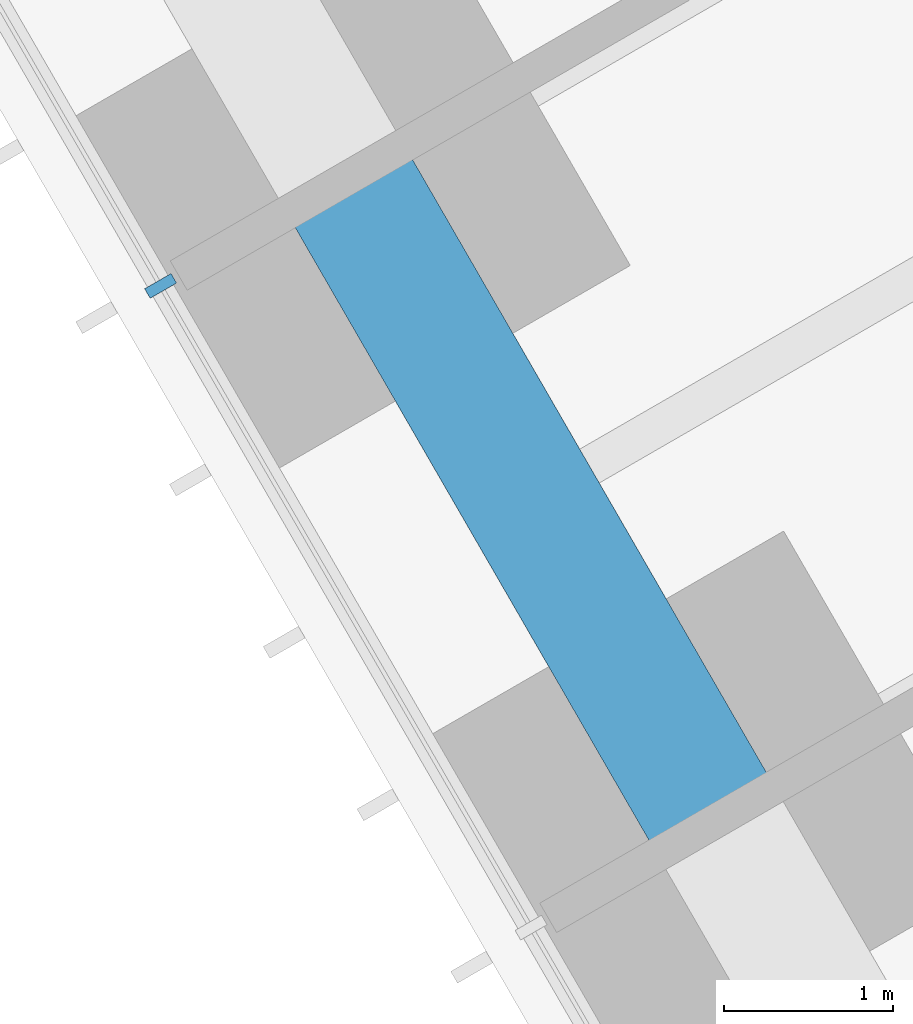
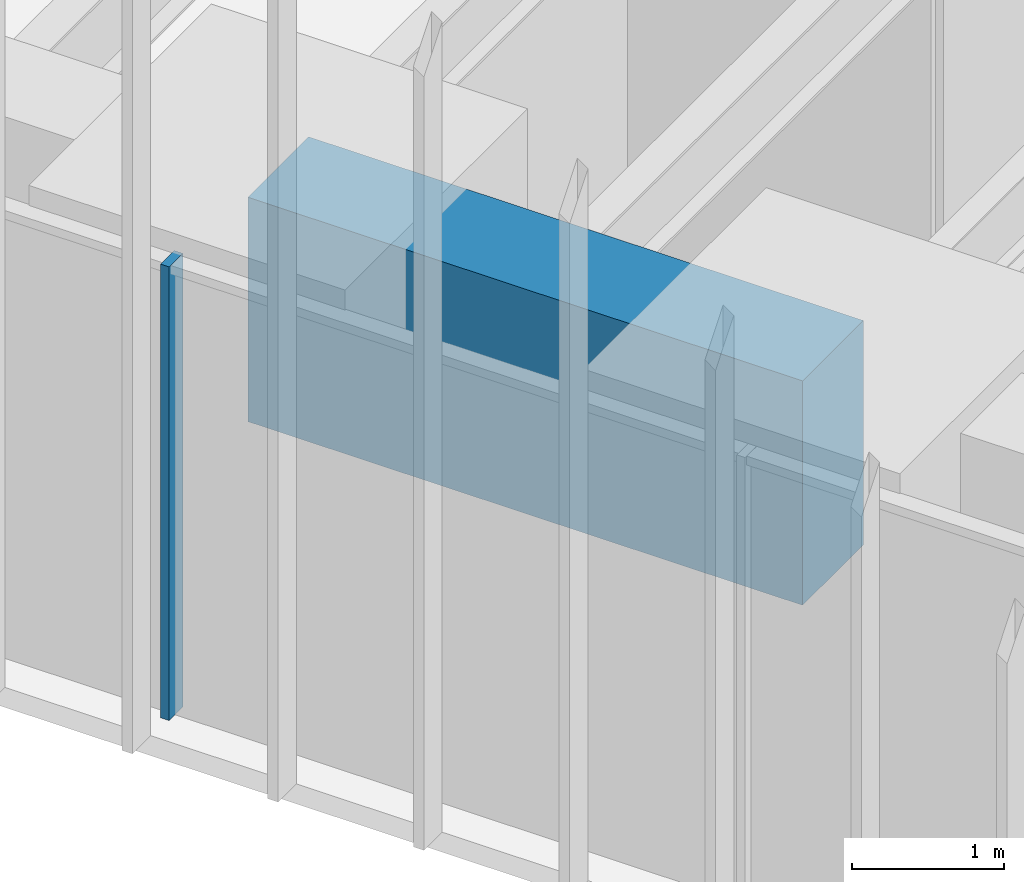
# One storey, part 51 of 256: 1 beam, 1 member, 1 element without a shape of its own.
"""IFC4 building model written with IfcOpenShell, lengths in metres."""

from ifc_helpers import new_model, si_unit, direction, frame, origin, origin_2d, place, context, subcontext, project, spatial, rectangle, extrude, material, material_profile, profile_set, type_object, element, aggregate, save


model = new_model("IFC4")

# Units and contexts
model_context = context("Model", 3, precision=1e-05, world=origin(), true_north=direction((0.0, 1.0)))
body_context = subcontext(model_context, "Body", "Model", "MODEL_VIEW")
ifc_project = project(units=[si_unit("LENGTHUNIT", "METRE"), si_unit("AREAUNIT", "SQUARE_METRE"), si_unit("VOLUMEUNIT", "CUBIC_METRE"), si_unit("PLANEANGLEUNIT", "RADIAN"), si_unit("MASSUNIT", "GRAM", prefix="KILO")], contexts=[model_context])

# Site, building, storey
site_placement = place(None, origin())
site = spatial("IfcSite", under=ifc_project, at=site_placement, CompositionType="ELEMENT")
building_placement = place(site_placement, origin())
building = spatial("IfcBuilding", under=site, at=building_placement, Name="Sandreach Pilgrim Tower", CompositionType="ELEMENT")
storey_placement = place(building_placement, frame((0.0, 0.0, 23.0)))
storey = spatial("IfcBuildingStorey", under=building, at=storey_placement, Name="L04", CompositionType="ELEMENT", Elevation=23.0)

# Curtain wall, member
ifc_material_1 = material(Name="Aluminium framed curtain wall", Category="aluminium")
curtain_wall_type = type_object("IfcCurtainWallType", Name="Hostel tower curtain wall", PredefinedType="NOTDEFINED", material=ifc_material_1)
curtain_wall_placement = place(storey_placement, origin())
curtain_wall = element("IfcCurtainWall", 1, at=curtain_wall_placement, inside=storey, type_object=curtain_wall_type, Name="CW-1 L04 SW", PredefinedType="NOTDEFINED")
ifc_material_2 = material(Name="Aluminium extrusion", Category="aluminium")
ifc_material_profile_1 = material_profile(ifc_material_2, rectangle(XDim=0.06494140625, YDim=0.179931640625, at=origin_2d()), Name="CW-1M 65X180")
ifc_profile_set_1 = profile_set([ifc_material_profile_1], Name="Aluminium extrusion")
member_type = type_object("IfcMemberType", Name="CW-1 mullion", PredefinedType="MULLION", material=ifc_profile_set_1)
member_placement = place(storey_placement, frame((-21.8330078125, -10.081298828125, 0.0), z_axis=(0.0, 0.0, 1.0), x_axis=(-0.5, 0.866025403784, 0.0)))
member = element("IfcMember", 2, at=member_placement, type_object=member_type, Name="CW-1 mullion 6", PredefinedType="MULLION", context=body_context, shape_type="SweptSolid", body=[
    extrude(rectangle(XDim=0.06494140625, YDim=0.179931640625, at=origin_2d()), origin(), (0.0, 0.0, 1.0), 3.639892578125),
])
aggregate(curtain_wall, [member])

# Beam
ifc_material_3 = material(Name="Concrete 10000 psi", Category="concrete")
ifc_material_profile_2 = material_profile(ifc_material_3, rectangle(XDim=0.800048828125, YDim=1.800048828125, at=origin_2d()), Name="RC800X1800")
ifc_profile_set_2 = profile_set([ifc_material_profile_2], Name="Concrete 10000 psi")
beam_type = type_object("IfcBeamType", Name="Spandrel beam RC800X1800", PredefinedType="SPANDREL", material=ifc_profile_set_2)
beam_placement = place(storey_placement, frame((-18.596435546875, -13.167236328125, 2.739990234375), z_axis=(-0.50001863446, 0.866014644907, 0.0), x_axis=(-0.866014644907, -0.50001863446, 0.0)))
element("IfcBeam", 3, at=beam_placement, inside=storey, type_object=beam_type, Name="BM L04 SP30", PredefinedType="SPANDREL", context=body_context, shape_type="SweptSolid", body=[
    extrude(rectangle(XDim=0.800048828125, YDim=1.800048828125, at=origin_2d()), origin(), (0.0, 0.0, 1.0), 4.209716796875),
])

save(model, "model.ifc")
